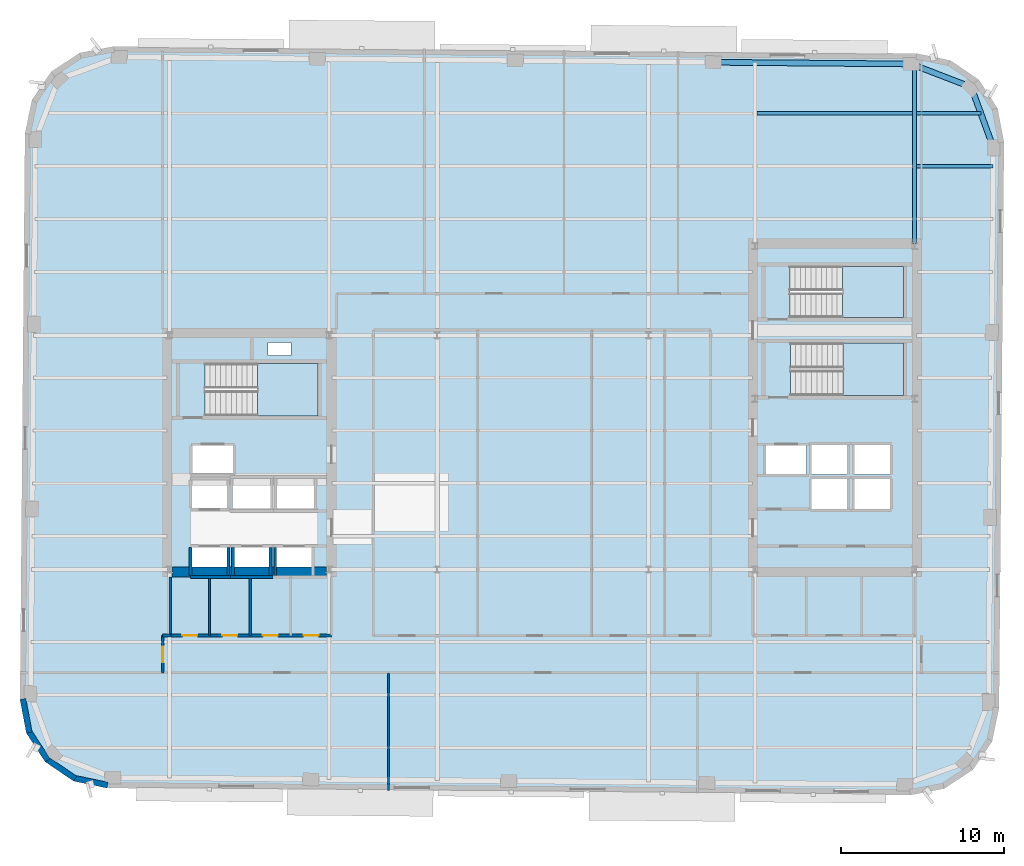
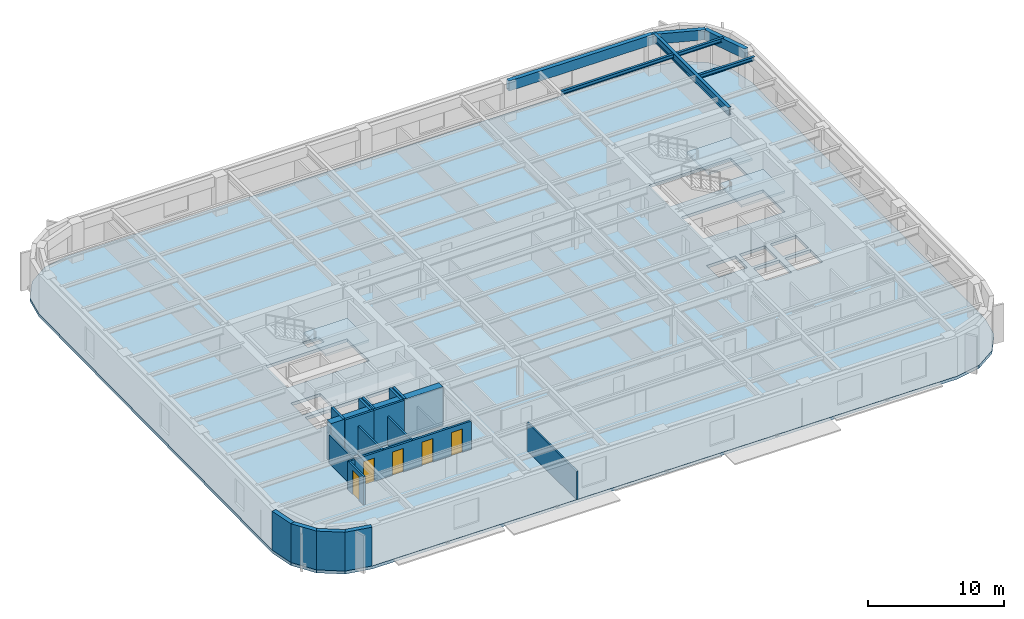
# One storey, part 3 of 12: 19 walls, 7 beams, 5 doors, 4 slabs, 5 openings, 3 elements without a shape of their own.
"""IFC4 building model written with IfcOpenShell, lengths in metres."""

from ifc_helpers import new_model, si_unit, direction, frame, frame_2d, origin, origin_2d, place, context, subcontext, project, spatial, polyline, rectangle, hollow_rectangle, i_section, outline, extrude, material, layer, layer_set, material_profile, profile_set, type_object, element, fill, aggregate, save


model = new_model("IFC4")

# Units and contexts
model_context = context("Model", 3, precision=1e-05, world=origin(), true_north=direction((0.0, 1.0)))
body_context = subcontext(model_context, "Body", "Model", "MODEL_VIEW")
ifc_project = project(units=[si_unit("LENGTHUNIT", "METRE"), si_unit("AREAUNIT", "SQUARE_METRE"), si_unit("VOLUMEUNIT", "CUBIC_METRE"), si_unit("PLANEANGLEUNIT", "RADIAN"), si_unit("MASSUNIT", "GRAM", prefix="KILO")], contexts=[model_context])

# Site, building, storey
site_placement = place(None, origin())
site = spatial("IfcSite", under=ifc_project, at=site_placement, CompositionType="ELEMENT")
building_placement = place(site_placement, origin())
building = spatial("IfcBuilding", under=site, at=building_placement, Name="Kolvaren Arena Tower", CompositionType="ELEMENT")
storey_placement = place(building_placement, frame((0.0, 0.0, 177.199951171875)))
storey = spatial("IfcBuildingStorey", under=building, at=storey_placement, Name="L42", CompositionType="ELEMENT", Elevation=177.199951171875)

# Beams
ifc_material_1 = material(Name="Steel CSA G40.21 350W", Category="steel")
ifc_material_profile_1 = material_profile(ifc_material_1, i_section(OverallWidth=0.2548828125, OverallDepth=0.695068359375, WebThickness=0.01708984375, FlangeThickness=0.02978515625, FilletRadius=0.01611328125, at=origin_2d()), Name="W690x217")
ifc_profile_set_1 = profile_set([ifc_material_profile_1], Name="Steel CSA G40.21 350W")
beam_type_1 = type_object("IfcBeamType", Name="GIRD-T2", PredefinedType="BEAM", material=ifc_profile_set_1)
beam_1_placement = place(storey_placement, frame((60.35009765625, 39.47998046875, 3.132568359375), z_axis=(0.0, 1.0, 0.0), x_axis=(-1.0, 0.0, 0.0)))
element("IfcBeam", 1, at=beam_1_placement, inside=storey, type_object=beam_type_1, Name="Primary Floor Girder (L42)", PredefinedType="BEAM", context=body_context, shape_type="SweptSolid", body=[
    extrude(i_section(OverallWidth=0.2548828125, OverallDepth=0.695068359375, WebThickness=0.01708984375, FlangeThickness=0.02978515625, FilletRadius=0.01611328125, at=origin_2d()), origin(), (0.0, 0.0, 1.0), 10.976806640625),
])
ifc_material_profile_2 = material_profile(ifc_material_1, i_section(OverallWidth=0.202880859375, OverallDepth=0.346923828125, WebThickness=0.0078125, FlangeThickness=0.013427734375, FilletRadius=0.010986328125, at=origin_2d()), Name="W360x64")
ifc_profile_set_2 = profile_set([ifc_material_profile_2], Name="Steel CSA G40.21 350W")
beam_type_2 = type_object("IfcBeamType", Name="JOIST-01", PredefinedType="JOIST", material=ifc_profile_set_2)
beam_2_placement = place(storey_placement, frame((60.4775390625, 44.25, 3.306640625), z_axis=(1.0, 0.0, 0.0), x_axis=(0.0, 1.0, 0.0)))
element("IfcBeam", 2, at=beam_2_placement, inside=storey, type_object=beam_type_2, Name="Composite Floor Joist (L42)", PredefinedType="JOIST", context=body_context, shape_type="SweptSolid", body=[
    extrude(i_section(OverallWidth=0.202880859375, OverallDepth=0.346923828125, WebThickness=0.0078125, FlangeThickness=0.013427734375, FilletRadius=0.010986328125, at=origin_2d()), origin(), (0.0, 0.0, 1.0), 4.710205078125),
])
beam_3_placement = place(storey_placement, frame((50.677490234375, 47.5, 3.306640625), z_axis=(1.0, 0.0, 0.0), x_axis=(0.0, 1.0, 0.0)))
element("IfcBeam", 3, at=beam_3_placement, inside=storey, type_object=beam_type_2, Name="Composite Floor Joist (L42)", PredefinedType="JOIST", context=body_context, shape_type="SweptSolid", body=[
    extrude(i_section(OverallWidth=0.202880859375, OverallDepth=0.346923828125, WebThickness=0.0078125, FlangeThickness=0.013427734375, FilletRadius=0.010986328125, at=origin_2d()), origin(), (0.0, 0.0, 1.0), 9.544921875),
])
beam_4_placement = place(storey_placement, frame((60.4775390625, 47.5, 3.306640625), z_axis=(1.0, 0.0, 0.0), x_axis=(0.0, 1.0, 0.0)))
element("IfcBeam", 4, at=beam_4_placement, inside=storey, type_object=beam_type_2, Name="Composite Floor Joist (L42)", PredefinedType="JOIST", context=body_context, shape_type="SweptSolid", body=[
    extrude(i_section(OverallWidth=0.202880859375, OverallDepth=0.346923828125, WebThickness=0.0078125, FlangeThickness=0.013427734375, FilletRadius=0.010986328125, at=origin_2d()), origin(), (0.0, 0.0, 1.0), 3.950439453125),
])
ifc_material_2 = material(Name="Steel CSA G40.21 350WT", Category="steel")
ifc_material_profile_3 = material_profile(ifc_material_2, hollow_rectangle(XDim=0.35009765625, YDim=0.89990234375, WallThickness=0.02001953125, at=origin_2d()), Name="HSS 900x350x20")
ifc_profile_set_3 = profile_set([ifc_material_profile_3], Name="Steel CSA G40.21 350WT")
beam_type_3 = type_object("IfcBeamType", Name="SPAND-01", PredefinedType="SPANDREL", material=ifc_profile_set_3)
for number, where, z_axis, x_axis, name in (
    (5, (65.19775390625, 45.392333984375, 3.030029296875), (-0.343059102458, 0.939313819882, 0.0), (-0.939313819882, -0.343059102458, 0.0), "Perimeter Spandrel Beam (L42)"),
    (6, (63.8388671875, 49.113037109375, 3.030029296875), (-0.933189846698, 0.359383792094, 0.0), (-0.359383792094, -0.933189846698, 0.0), "Perimeter Spandrel Beam (L42)"),
):
    element("IfcBeam", number, at=place(storey_placement, frame(where, z_axis=z_axis, x_axis=x_axis)), inside=storey, type_object=beam_type_3, Name=name, PredefinedType="SPANDREL", context=body_context, shape_type="SweptSolid", body=[
        extrude(hollow_rectangle(XDim=0.35009765625, YDim=0.89990234375, WallThickness=0.02001953125, at=origin_2d()), origin(), (0.0, 0.0, 1.0), 3.961181640625),
    ])
beam_5_placement = place(storey_placement, frame((60.142333984375, 50.53662109375, 3.030029296875), z_axis=(-0.99996195503, 0.008722871848, 0.0), x_axis=(-0.008722871848, -0.99996195503, 0.0)))
element("IfcBeam", 7, at=beam_5_placement, inside=storey, type_object=beam_type_3, Name="Perimeter Spandrel Beam (L42)", PredefinedType="SPANDREL", context=body_context, shape_type="SweptSolid", body=[
    extrude(hollow_rectangle(XDim=0.35009765625, YDim=0.89990234375, WallThickness=0.02001953125, at=origin_2d()), origin(), (0.0, 0.0, 1.0), 12.175048828125),
])

# Stair, slab
ifc_material_3 = material(Name="Concrete 45 MPa", Category="concrete")
stair_type_1 = type_object("IfcStairType", Name="STAIR-CORE-165", PredefinedType="HALF_TURN_STAIR", material=ifc_material_3)
stair_1_placement = place(storey_placement, origin())
stair_1 = element("IfcStair", 8, at=stair_1_placement, inside=storey, type_object=stair_type_1, Name="L42 ST-W1", PredefinedType="HALF_TURN_STAIR")
ifc_layer_1 = layer(ifc_material_3, 0.199951171875)
ifc_layer_set_1 = layer_set([ifc_layer_1], Name="Concrete 45 MPa")
slab_type_1 = type_object("IfcSlabType", Name="SLAB-LAND", PredefinedType="LANDING", material=ifc_layer_set_1)
slab_1_placement = place(storey_placement, frame((0.0, 0.0, 1.675048828125)))
slab_1 = element("IfcSlab", 9, at=slab_1_placement, type_object=slab_type_1, Name="ST-W1 landing 1", PredefinedType="LANDING", context=body_context, shape_type="SweptSolid", body=[
    extrude(outline(polyline([(19.9599609375, 28.89990234375), (23.659912109375, 28.89990234375), (23.659912109375, 32.1298828125), (19.9599609375, 32.1298828125), (19.9599609375, 28.89990234375)])), origin(), (0.0, 0.0, 1.0), 0.199951171875),
])
aggregate(stair_1, [slab_1])

stair_2_placement = place(storey_placement, origin())
stair_2 = element("IfcStair", 10, at=stair_2_placement, inside=storey, type_object=stair_type_1, Name="L42 ST-E1", PredefinedType="HALF_TURN_STAIR")
slab_2_placement = place(storey_placement, frame((0.0, 0.0, 1.675048828125)))
slab_2 = element("IfcSlab", 11, at=slab_2_placement, type_object=slab_type_1, Name="ST-E1 landing 1", PredefinedType="LANDING", context=body_context, shape_type="SweptSolid", body=[
    extrude(outline(polyline([(55.9599609375, 30.14990234375), (59.659912109375, 30.14990234375), (59.659912109375, 33.3798828125), (55.9599609375, 33.3798828125), (55.9599609375, 30.14990234375)])), origin(), (0.0, 0.0, 1.0), 0.199951171875),
])
aggregate(stair_2, [slab_2])

stair_type_2 = type_object("IfcStairType", Name="STAIR-CORE-150", PredefinedType="HALF_TURN_STAIR", material=ifc_material_3)
stair_3_placement = place(storey_placement, origin())
stair_3 = element("IfcStair", 12, at=stair_3_placement, inside=storey, type_object=stair_type_2, Name="L42 ST-E2", PredefinedType="HALF_TURN_STAIR")
slab_3_placement = place(storey_placement, frame((0.0, 0.0, 1.675048828125)))
slab_3 = element("IfcSlab", 13, at=slab_3_placement, type_object=slab_type_1, Name="ST-E2 landing 1", PredefinedType="LANDING", context=body_context, shape_type="SweptSolid", body=[
    extrude(outline(polyline([(55.919921875, 34.949951171875), (59.659912109375, 34.949951171875), (59.659912109375, 38.10009765625), (55.919921875, 38.10009765625), (55.919921875, 34.949951171875)])), origin(), (0.0, 0.0, 1.0), 0.199951171875),
])
aggregate(stair_3, [slab_3])

# Slab
ifc_layer_2 = layer(ifc_material_3, 0.27001953125)
ifc_layer_set_2 = layer_set([ifc_layer_2], Name="Concrete 45 MPa")
slab_type_2 = type_object("IfcSlabType", Name="SLAB-OFF2", PredefinedType="FLOOR", material=ifc_layer_set_2)
slab_4_placement = place(storey_placement, frame((0.0, 0.0, -0.27001953125)))
element("IfcSlab", 14, at=slab_4_placement, inside=storey, type_object=slab_type_2, Name="L42 Primary Structural Slab", PredefinedType="FLOOR", context=body_context, shape_type="SweptSolid", body=[
    extrude(outline(polyline([(60.10009765625, 5.585205078125), (62.170166015625, 5.978271484375), (63.93212890625, 7.133544921875), (65.117919921875, 8.875244140625), (65.547119140625, 10.93798828125), (65.8505859375, 45.73681640625), (65.457763671875, 47.806640625), (64.302490234375, 49.568603515625), (62.560791015625, 50.75439453125), (60.498046875, 51.18359375), (11.099853515625, 51.61474609375), (9.02978515625, 51.2216796875), (7.267822265625, 50.06640625), (6.08203125, 48.32470703125), (5.653076171875, 46.261962890625), (5.349365234375, 11.46337890625), (5.7421875, 9.393310546875), (6.8974609375, 7.63134765625), (8.63916015625, 6.445556640625), (10.701904296875, 6.016357421875), (60.10009765625, 5.585205078125)]), holes=[polyline([(15.93505859375, 19.0849609375), (15.93505859375, 20.81494140625), (18.06494140625, 20.81494140625), (18.06494140625, 19.0849609375), (15.93505859375, 19.0849609375)]), polyline([(18.534912109375, 19.0849609375), (18.534912109375, 20.81494140625), (20.6650390625, 20.81494140625), (20.6650390625, 19.0849609375), (18.534912109375, 19.0849609375)]), polyline([(21.135009765625, 19.0849609375), (21.135009765625, 20.81494140625), (23.264892578125, 20.81494140625), (23.264892578125, 19.0849609375), (21.135009765625, 19.0849609375)]), polyline([(18.4599609375, 23.135009765625), (18.4599609375, 25.06494140625), (20.739990234375, 25.06494140625), (20.739990234375, 23.135009765625), (18.4599609375, 23.135009765625)]), polyline([(21.159912109375, 23.135009765625), (21.159912109375, 25.06494140625), (23.43994140625, 25.06494140625), (23.43994140625, 23.135009765625), (21.159912109375, 23.135009765625)]), polyline([(54.030029296875, 23.18505859375), (54.030029296875, 25.014892578125), (56.2099609375, 25.014892578125), (56.2099609375, 23.18505859375), (54.030029296875, 23.18505859375)]), polyline([(56.669921875, 23.18505859375), (56.669921875, 25.014892578125), (58.85009765625, 25.014892578125), (58.85009765625, 23.18505859375), (56.669921875, 23.18505859375)]), polyline([(15.93505859375, 23.235107421875), (15.93505859375, 24.965087890625), (18.06494140625, 24.965087890625), (18.06494140625, 23.235107421875), (15.93505859375, 23.235107421875)]), polyline([(54.030029296875, 25.284912109375), (54.030029296875, 27.114990234375), (56.2099609375, 27.114990234375), (56.2099609375, 25.284912109375), (54.030029296875, 25.284912109375)]), polyline([(56.669921875, 25.284912109375), (56.669921875, 27.114990234375), (58.85009765625, 27.114990234375), (58.85009765625, 25.284912109375), (56.669921875, 25.284912109375)]), polyline([(15.9599609375, 25.3349609375), (15.9599609375, 27.06494140625), (18.43994140625, 27.06494140625), (18.43994140625, 25.3349609375), (15.9599609375, 25.3349609375)]), polyline([(51.219970703125, 25.3349609375), (51.219970703125, 27.06494140625), (53.699951171875, 27.06494140625), (53.699951171875, 25.3349609375), (51.219970703125, 25.3349609375)]), polyline([(16.735107421875, 28.89990234375), (16.735107421875, 32.1298828125), (23.659912109375, 32.1298828125), (23.659912109375, 28.89990234375), (16.735107421875, 28.89990234375)]), polyline([(52.735107421875, 30.14990234375), (52.735107421875, 33.3798828125), (59.659912109375, 33.3798828125), (59.659912109375, 30.14990234375), (52.735107421875, 30.14990234375)]), polyline([(20.60009765625, 32.6201171875), (20.60009765625, 33.39990234375), (22.0, 33.39990234375), (22.0, 32.6201171875), (20.60009765625, 32.6201171875)]), polyline([(52.695068359375, 34.949951171875), (52.695068359375, 38.10009765625), (59.659912109375, 38.10009765625), (59.659912109375, 34.949951171875), (52.695068359375, 34.949951171875)])]), origin(), (0.0, 0.0, 1.0), 0.27001953125),
])

# Wall, opening, door
ifc_material_4 = material(Name="Gypsum board acoustic assembly", Category="gypsum")
ifc_layer_3 = layer(ifc_material_4, 0.159912109375)
ifc_layer_set_3 = layer_set([ifc_layer_3], Name="Gypsum board acoustic assembly")
wall_type_1 = type_object("IfcWallType", Name="CORR-160", PredefinedType="PARTITIONING", material=ifc_layer_set_3)
wall_1_placement = place(storey_placement, frame((14.1201171875, 13.10009765625, 0.0), z_axis=(0.0, 0.0, 1.0), x_axis=(0.0, 1.0, 0.0)))
wall_1 = element("IfcWall", 15, at=wall_1_placement, inside=storey, type_object=wall_type_1, Name="Interior Partition Wall (L42)", PredefinedType="PARTITIONING", context=body_context, shape_type="SweptSolid", body=[
    extrude(rectangle(XDim=2.2998046875, YDim=0.159912109375, at=frame_2d((1.14990234375, 0.0))), origin(), (0.0, 0.0, 1.0), 2.5400390625),
])
opening_1_placement = place(wall_1_placement, frame((0.64990234375, 0.0, 0.0)))
opening_1 = element("IfcOpeningElement", 16, at=opening_1_placement, cuts=wall_1, Name="Opening D05", PredefinedType="OPENING", context=body_context, shape_type="SweptSolid", body=[
    extrude(rectangle(XDim=0.949951171875, YDim=2.14990234375, at=frame_2d((0.47509765625, 1.074951171875))), frame((0.0, 0.08984375, 0.0), z_axis=(0.0, -1.0, 0.0), x_axis=(1.0, 0.0, 0.0)), (0.0, 0.0, 1.0), 0.179931640625),
])
ifc_material_5 = material(Name="Solid-core oak acoustic office door", Category="wood")
door_type_1 = type_object("IfcDoorType", Name="DOOR-OF-095", OperationType="NOTDEFINED", PredefinedType="DOOR", material=ifc_material_5)
door_1_placement = place(opening_1_placement, origin())
door_1 = element("IfcDoor", 17, at=door_1_placement, inside=storey, type_object=door_type_1, Name="West Wing Office Door (L42)", OperationType="SINGLE_SWING_LEFT", OverallHeight=2.14990234375, OverallWidth=0.949951171875, PredefinedType="DOOR", context=body_context, shape_type="SweptSolid", body=[
    extrude(rectangle(XDim=0.949951171875, YDim=2.14990234375, at=frame_2d((0.47509765625, 1.074951171875))), frame((0.0, 0.02490234375, 0.0), z_axis=(0.0, -1.0, 0.0), x_axis=(1.0, 0.0, 0.0)), (0.0, 0.0, 1.0), 0.050048828125),
])
fill(opening_1, door_1)

# Walls
wall_2_placement = place(storey_placement, frame((14.1201171875, 15.39990234375, 0.0), z_axis=(0.0, 0.0, 1.0), x_axis=(1.0, 0.0, 0.0)))
element("IfcWall", 18, at=wall_2_placement, inside=storey, type_object=wall_type_1, Name="Interior Partition Wall (L42)", PredefinedType="PARTITIONING", context=body_context, shape_type="SweptSolid", body=[
    extrude(rectangle(XDim=0.5, YDim=0.159912109375, at=frame_2d((0.25, 0.0))), origin(), (0.0, 0.0, 1.0), 2.5400390625),
])
ifc_material_6 = material(Name="Concrete 60 MPa", Category="concrete")
ifc_layer_4 = layer(ifc_material_6, 0.60009765625)
ifc_layer_set_4 = layer_set([ifc_layer_4], Name="Concrete 60 MPa")
wall_type_2 = type_object("IfcWallType", Name="CWALL-600", PredefinedType="SHEAR", material=ifc_layer_set_4)
wall_3_placement = place(storey_placement, frame((14.699951171875, 19.300048828125, -0.27001953125), z_axis=(0.0, 0.0, 1.0), x_axis=(1.0, 0.0, 0.0)))
element("IfcWall", 19, at=wall_3_placement, inside=storey, type_object=wall_type_2, Name="Core Shear Wall WC-SOUTH (L42)", PredefinedType="SHEAR", context=body_context, shape_type="SweptSolid", body=[
    extrude(rectangle(XDim=9.5, YDim=0.60009765625, at=frame_2d((4.75, 0.0))), origin(), (0.0, 0.0, 1.0), 3.75),
])
ifc_material_7 = material(Name="Precast concrete C50/60", Category="concrete")
ifc_layer_5 = layer(ifc_material_7, 0.360107421875)
ifc_layer_set_5 = layer_set([ifc_layer_5], Name="Precast concrete C50/60")
wall_type_3 = type_object("IfcWallType", Name="EXT-PIER2", PredefinedType="SOLIDWALL", material=ifc_layer_set_5)
for number, where, z_axis, x_axis, name in (
    (20, (5.919189453125, 9.427001953125, 0.0), (0.0, 0.0, 1.0), (-0.186568933123, 0.982441872679, 0.0), "Exterior Precast Masonry-Frame Wall (L42)"),
    (21, (7.048095703125, 7.72998046875, 0.0), (0.0, 0.0, 1.0), (-0.548319766745, 0.836268756678, 0.0), "Exterior Precast Masonry-Frame Wall (L42)"),
    (22, (8.740478515625, 6.59423828125, 0.0), (0.0, 0.0, 1.0), (-0.826609569219, 0.56277581689, 0.0), "Exterior Precast Masonry-Frame Wall (L42)"),
):
    element("IfcWall", number, at=place(storey_placement, frame(where, z_axis=z_axis, x_axis=x_axis)), inside=storey, type_object=wall_type_3, Name=name, PredefinedType="SOLIDWALL", context=body_context, shape_type="SweptSolid", body=[
        extrude(rectangle(XDim=2.10693359375, YDim=0.360107421875, at=frame_2d((1.053466796875, 0.0))), origin(), (0.0, 0.0, 1.0), 3.47998046875),
    ])
wall_4_placement = place(storey_placement, frame((10.73876953125, 6.192626953125, 0.0), z_axis=(0.0, 0.0, 1.0), x_axis=(-0.979059388908, 0.203574833883, 0.0)))
element("IfcWall", 23, at=wall_4_placement, inside=storey, type_object=wall_type_3, Name="Exterior Precast Masonry-Frame Wall (L42)", PredefinedType="SOLIDWALL", context=body_context, shape_type="SweptSolid", body=[
    extrude(rectangle(XDim=2.107177734375, YDim=0.360107421875, at=frame_2d((1.0537109375, 0.0))), origin(), (0.0, 0.0, 1.0), 3.47998046875),
])
ifc_material_8 = material(Name="Gypsum board partition assembly", Category="gypsum")
ifc_layer_6 = layer(ifc_material_8, 0.135009765625)
ifc_layer_set_6 = layer_set([ifc_layer_6], Name="Gypsum board partition assembly")
wall_type_4 = type_object("IfcWallType", Name="PART-135", PredefinedType="PARTITIONING", material=ifc_layer_set_6)
wall_5_placement = place(storey_placement, frame((28.0, 5.865478515625, 0.0), z_axis=(0.0, 0.0, 1.0), x_axis=(0.0, 1.0, 0.0)))
element("IfcWall", 24, at=wall_5_placement, inside=storey, type_object=wall_type_4, Name="Interior Partition Wall (L42)", PredefinedType="PARTITIONING", context=body_context, shape_type="SweptSolid", body=[
    extrude(rectangle(XDim=7.234619140625, YDim=0.135009765625, at=frame_2d((3.6171875, 0.0))), origin(), (0.0, 0.0, 1.0), 2.5400390625),
])
ifc_layer_7 = layer(ifc_material_3, 0.25)
ifc_layer_set_7 = layer_set([ifc_layer_7], Name="Concrete 45 MPa")
wall_type_5 = type_object("IfcWallType", Name="SHAFT-250", PredefinedType="SOLIDWALL", material=ifc_layer_set_7)
wall_6_placement = place(storey_placement, frame((15.844970703125, 18.9951171875, 0.0), z_axis=(0.0, 0.0, 1.0), x_axis=(1.0, 0.0, 0.0)))
element("IfcWall", 25, at=wall_6_placement, inside=storey, type_object=wall_type_5, Name="Core Shaft Wall (L42)", PredefinedType="SOLIDWALL", context=body_context, shape_type="SweptSolid", body=[
    extrude(rectangle(XDim=2.455078125, YDim=0.179931640625, at=frame_2d((1.2275390625, 0.0))), origin(), (0.0, 0.0, 1.0), 3.47998046875),
])
for number, where, z_axis, x_axis, name in (
    (26, (15.844970703125, 19.0849609375, 0.0), (0.0, 0.0, 1.0), (0.0, 1.0, 0.0), "Core Shaft Wall (L42)"),
    (27, (18.155029296875, 19.0849609375, 0.0), (0.0, 0.0, 1.0), (0.0, 1.0, 0.0), "Core Shaft Wall (L42)"),
):
    element("IfcWall", number, at=place(storey_placement, frame(where, z_axis=z_axis, x_axis=x_axis)), inside=storey, type_object=wall_type_5, Name=name, PredefinedType="SOLIDWALL", context=body_context, shape_type="SweptSolid", body=[
        extrude(rectangle(XDim=1.72998046875, YDim=0.179931640625, at=frame_2d((0.864990234375, 0.0))), origin(), (0.0, 0.0, 1.0), 3.47998046875),
    ])
wall_7_placement = place(storey_placement, frame((18.300048828125, 18.9951171875, 0.0), z_axis=(0.0, 0.0, 1.0), x_axis=(1.0, 0.0, 0.0)))
element("IfcWall", 28, at=wall_7_placement, inside=storey, type_object=wall_type_5, Name="Core Shaft Wall (L42)", PredefinedType="SOLIDWALL", context=body_context, shape_type="SweptSolid", body=[
    extrude(rectangle(XDim=2.599853515625, YDim=0.179931640625, at=frame_2d((1.2998046875, 0.0))), origin(), (0.0, 0.0, 1.0), 3.47998046875),
])
for number, where, z_axis, x_axis, name in (
    (29, (18.445068359375, 19.0849609375, 0.0), (0.0, 0.0, 1.0), (0.0, 1.0, 0.0), "Core Shaft Wall (L42)"),
    (30, (20.7548828125, 19.0849609375, 0.0), (0.0, 0.0, 1.0), (0.0, 1.0, 0.0), "Core Shaft Wall (L42)"),
    (31, (21.044921875, 19.0849609375, 0.0), (0.0, 0.0, 1.0), (0.0, 1.0, 0.0), "Core Shaft Wall (L42)"),
):
    element("IfcWall", number, at=place(storey_placement, frame(where, z_axis=z_axis, x_axis=x_axis)), inside=storey, type_object=wall_type_5, Name=name, PredefinedType="SOLIDWALL", context=body_context, shape_type="SweptSolid", body=[
        extrude(rectangle(XDim=1.72998046875, YDim=0.179931640625, at=frame_2d((0.864990234375, 0.0))), origin(), (0.0, 0.0, 1.0), 3.47998046875),
    ])
ifc_material_9 = material(Name="Moisture-resistant gypsum assembly", Category="gypsum")
ifc_layer_8 = layer(ifc_material_9, 0.14990234375)
ifc_layer_set_8 = layer_set([ifc_layer_8], Name="Moisture-resistant gypsum assembly")
wall_type_6 = type_object("IfcWallType", Name="WETW-150", PredefinedType="PARTITIONING", material=ifc_layer_set_8)
for number, where, z_axis, x_axis, name in (
    (32, (17.0, 15.39990234375, 0.0), (0.0, 0.0, 1.0), (0.0, 1.0, 0.0), "Interior Partition Wall (L42)"),
    (33, (19.5, 15.39990234375, 0.0), (0.0, 0.0, 1.0), (0.0, 1.0, 0.0), "Interior Partition Wall (L42)"),
):
    element("IfcWall", number, at=place(storey_placement, frame(where, z_axis=z_axis, x_axis=x_axis)), inside=storey, type_object=wall_type_6, Name=name, PredefinedType="PARTITIONING", context=body_context, shape_type="SweptSolid", body=[
        extrude(rectangle(XDim=3.580078125, YDim=0.14990234375, at=frame_2d((1.7900390625, 0.0))), origin(), (0.0, 0.0, 1.0), 2.5400390625),
    ])

# Wall, openings, doors
wall_8_placement = place(storey_placement, frame((14.60009765625, 15.39990234375, 0.0), z_axis=(0.0, 0.0, 1.0), x_axis=(1.0, 0.0, 0.0)))
wall_8 = element("IfcWall", 34, at=wall_8_placement, inside=storey, type_object=wall_type_6, Name="Interior Partition Wall (L42)", PredefinedType="PARTITIONING", context=body_context, shape_type="SweptSolid", body=[
    extrude(rectangle(XDim=9.89990234375, YDim=0.179931640625, at=frame_2d((4.949951171875, 0.0))), origin(), (0.0, 0.0, 1.0), 2.5400390625),
])
opening_2_placement = place(wall_8_placement, frame((0.739990234375, 0.0, 0.0)))
opening_2 = element("IfcOpeningElement", 35, at=opening_2_placement, cuts=wall_8, Name="Opening D07", PredefinedType="OPENING", context=body_context, shape_type="SweptSolid", body=[
    extrude(rectangle(XDim=0.919921875, YDim=2.10009765625, at=frame_2d((0.4599609375, 1.050048828125))), frame((0.0, 0.099853515625, 0.0), z_axis=(0.0, -1.0, 0.0), x_axis=(1.0, 0.0, 0.0)), (0.0, 0.0, 1.0), 0.199951171875),
])
opening_3_placement = place(wall_8_placement, frame((3.18994140625, 0.0, 0.0)))
opening_3 = element("IfcOpeningElement", 36, at=opening_3_placement, cuts=wall_8, Name="Opening D07", PredefinedType="OPENING", context=body_context, shape_type="SweptSolid", body=[
    extrude(rectangle(XDim=0.919921875, YDim=2.10009765625, at=frame_2d((0.4599609375, 1.050048828125))), frame((0.0, 0.099853515625, 0.0), z_axis=(0.0, -1.0, 0.0), x_axis=(1.0, 0.0, 0.0)), (0.0, 0.0, 1.0), 0.199951171875),
])
opening_4_placement = place(wall_8_placement, frame((5.68994140625, 0.0, 0.0)))
opening_4 = element("IfcOpeningElement", 37, at=opening_4_placement, cuts=wall_8, Name="Opening D07", PredefinedType="OPENING", context=body_context, shape_type="SweptSolid", body=[
    extrude(rectangle(XDim=0.919921875, YDim=2.10009765625, at=frame_2d((0.4599609375, 1.050048828125))), frame((0.0, 0.099853515625, 0.0), z_axis=(0.0, -1.0, 0.0), x_axis=(1.0, 0.0, 0.0)), (0.0, 0.0, 1.0), 0.199951171875),
])
opening_5_placement = place(wall_8_placement, frame((8.18994140625, 0.0, 0.0)))
opening_5 = element("IfcOpeningElement", 38, at=opening_5_placement, cuts=wall_8, Name="Opening D07", PredefinedType="OPENING", context=body_context, shape_type="SweptSolid", body=[
    extrude(rectangle(XDim=0.919921875, YDim=2.10009765625, at=frame_2d((0.4599609375, 1.050048828125))), frame((0.0, 0.099853515625, 0.0), z_axis=(0.0, -1.0, 0.0), x_axis=(1.0, 0.0, 0.0)), (0.0, 0.0, 1.0), 0.199951171875),
])
ifc_material_10 = material(Name="Laminate universal washroom door", Category="wood")
door_type_2 = type_object("IfcDoorType", Name="DOOR-WC-092", OperationType="NOTDEFINED", PredefinedType="DOOR", material=ifc_material_10)
door_2_placement = place(opening_2_placement, origin())
door_2 = element("IfcDoor", 39, at=door_2_placement, inside=storey, type_object=door_type_2, Name="Cleaner and Janitor Store Door (L42)", OperationType="SINGLE_SWING_RIGHT", OverallHeight=2.10009765625, OverallWidth=0.919921875, PredefinedType="DOOR", context=body_context, shape_type="SweptSolid", body=[
    extrude(rectangle(XDim=0.919921875, YDim=2.10009765625, at=frame_2d((0.4599609375, 1.050048828125))), frame((0.0, 0.02490234375, 0.0), z_axis=(0.0, -1.0, 0.0), x_axis=(1.0, 0.0, 0.0)), (0.0, 0.0, 1.0), 0.050048828125),
])
fill(opening_2, door_2)
door_3_placement = place(opening_3_placement, origin())
door_3 = element("IfcDoor", 40, at=door_3_placement, inside=storey, type_object=door_type_2, Name="Universal Barrier-Free Washroom Door (L42)", OperationType="SINGLE_SWING_LEFT", OverallHeight=2.10009765625, OverallWidth=0.919921875, PredefinedType="DOOR", context=body_context, shape_type="SweptSolid", body=[
    extrude(rectangle(XDim=0.919921875, YDim=2.10009765625, at=frame_2d((0.4599609375, 1.050048828125))), frame((0.0, 0.02490234375, 0.0), z_axis=(0.0, -1.0, 0.0), x_axis=(1.0, 0.0, 0.0)), (0.0, 0.0, 1.0), 0.050048828125),
])
fill(opening_3, door_3)
door_4_placement = place(opening_4_placement, origin())
door_4 = element("IfcDoor", 41, at=door_4_placement, inside=storey, type_object=door_type_2, Name="Women Restroom Door (L42)", OperationType="SINGLE_SWING_RIGHT", OverallHeight=2.10009765625, OverallWidth=0.919921875, PredefinedType="DOOR", context=body_context, shape_type="SweptSolid", body=[
    extrude(rectangle(XDim=0.919921875, YDim=2.10009765625, at=frame_2d((0.4599609375, 1.050048828125))), frame((0.0, 0.02490234375, 0.0), z_axis=(0.0, -1.0, 0.0), x_axis=(1.0, 0.0, 0.0)), (0.0, 0.0, 1.0), 0.050048828125),
])
fill(opening_4, door_4)
door_5_placement = place(opening_5_placement, origin())
door_5 = element("IfcDoor", 42, at=door_5_placement, inside=storey, type_object=door_type_2, Name="Men Restroom Door (L42)", OperationType="SINGLE_SWING_LEFT", OverallHeight=2.10009765625, OverallWidth=0.919921875, PredefinedType="DOOR", context=body_context, shape_type="SweptSolid", body=[
    extrude(rectangle(XDim=0.919921875, YDim=2.10009765625, at=frame_2d((0.4599609375, 1.050048828125))), frame((0.0, 0.02490234375, 0.0), z_axis=(0.0, -1.0, 0.0), x_axis=(1.0, 0.0, 0.0)), (0.0, 0.0, 1.0), 0.050048828125),
])
fill(opening_5, door_5)

# Wall
wall_9_placement = place(storey_placement, frame((14.60009765625, 15.39990234375, 0.0), z_axis=(0.0, 0.0, 1.0), x_axis=(0.0, 1.0, 0.0)))
element("IfcWall", 43, at=wall_9_placement, inside=storey, type_object=wall_type_6, Name="Interior Partition Wall (L42)", PredefinedType="PARTITIONING", context=body_context, shape_type="SweptSolid", body=[
    extrude(rectangle(XDim=3.580078125, YDim=0.14990234375, at=frame_2d((1.7900390625, 0.0))), origin(), (0.0, 0.0, 1.0), 2.5400390625),
])

save(model, "model.ifc")
